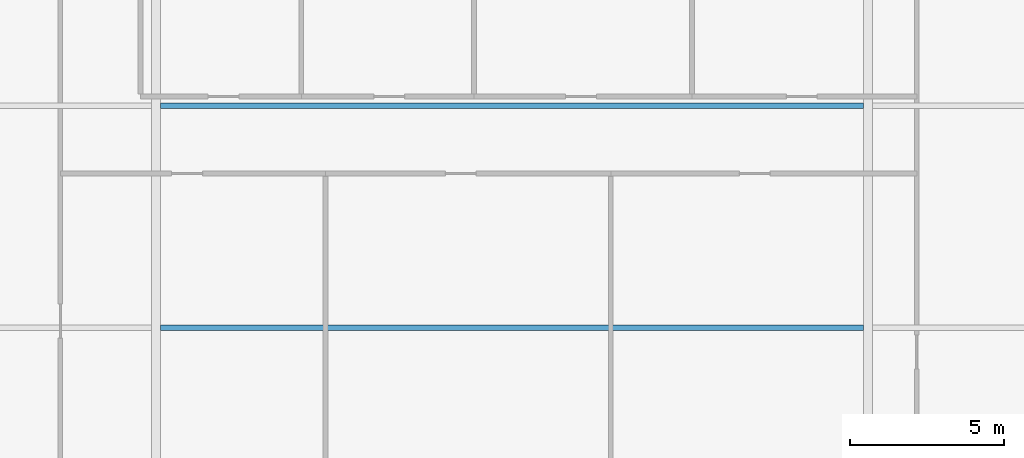
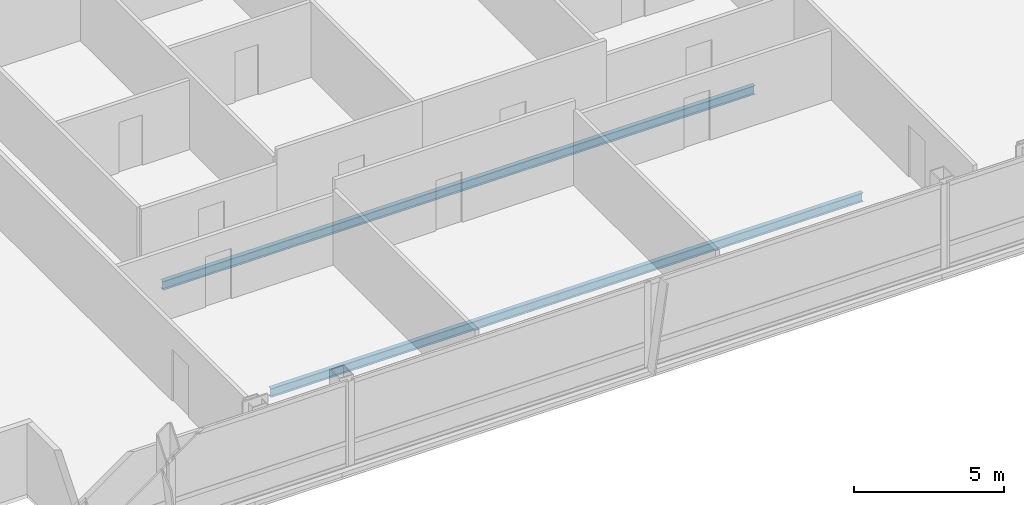
# One storey, part 8 of 27: 2 beams.
"""IFC4 building model written with IfcOpenShell, lengths in metres."""

from ifc_helpers import new_model, si_unit, direction, frame, origin, origin_2d, place, context, subcontext, project, spatial, i_section, extrude, material, material_profile, profile_set, type_object, element, save


model = new_model("IFC4")

# Units and contexts
model_context = context("Model", 3, precision=1e-05, world=origin(), true_north=direction((0.0, 1.0)))
body_context = subcontext(model_context, "Body", "Model", "MODEL_VIEW")
ifc_project = project(units=[si_unit("LENGTHUNIT", "METRE"), si_unit("AREAUNIT", "SQUARE_METRE"), si_unit("VOLUMEUNIT", "CUBIC_METRE"), si_unit("PLANEANGLEUNIT", "RADIAN"), si_unit("MASSUNIT", "GRAM", prefix="KILO")], contexts=[model_context])

# Site, building, storey
site_placement = place(None, origin())
site = spatial("IfcSite", under=ifc_project, at=site_placement, CompositionType="ELEMENT")
building_placement = place(site_placement, origin())
building = spatial("IfcBuilding", under=site, at=building_placement, Name="Khoronbel Lancet Exchange", CompositionType="ELEMENT")
storey_placement = place(building_placement, frame((0.0, 0.0, 332.60009765625)))
storey = spatial("IfcBuildingStorey", under=building, at=storey_placement, Name="L86", CompositionType="ELEMENT", Elevation=332.60009765625)

# Beams
ifc_material = material(Name="Steel S355", Category="steel")
ifc_material_profile = material_profile(ifc_material, i_section(OverallWidth=0.169921875, OverallDepth=0.360107421875, WebThickness=0.008056640625, FlangeThickness=0.0126953125, at=origin_2d()), Name="IPE 360")
ifc_profile_set = profile_set([ifc_material_profile], Name="Steel S355")
beam_type = type_object("IfcBeamType", Name="BM-BJ6", PredefinedType="JOIST", material=ifc_profile_set)
for number, where, z_axis, x_axis, name in (
    (1, (25.050048828125, 15.199951171875, -0.340087890625), (1.0, 0.0, 0.0), (0.0, 1.0, 0.0), "Level L86 secondary composite joist J02"),
    (2, (25.050048828125, 22.39990234375, -0.340087890625), (1.0, 0.0, 0.0), (0.0, 1.0, 0.0), "Level L86 secondary composite joist J05"),
):
    element("IfcBeam", number, at=place(storey_placement, frame(where, z_axis=z_axis, x_axis=x_axis)), inside=storey, type_object=beam_type, Name=name, PredefinedType="JOIST", context=body_context, shape_type="SweptSolid", body=[
        extrude(i_section(OverallWidth=0.169921875, OverallDepth=0.360107421875, WebThickness=0.008056640625, FlangeThickness=0.0126953125, at=origin_2d()), origin(), (0.0, 0.0, 1.0), 22.800048828125),
    ])

save(model, "model.ifc")
